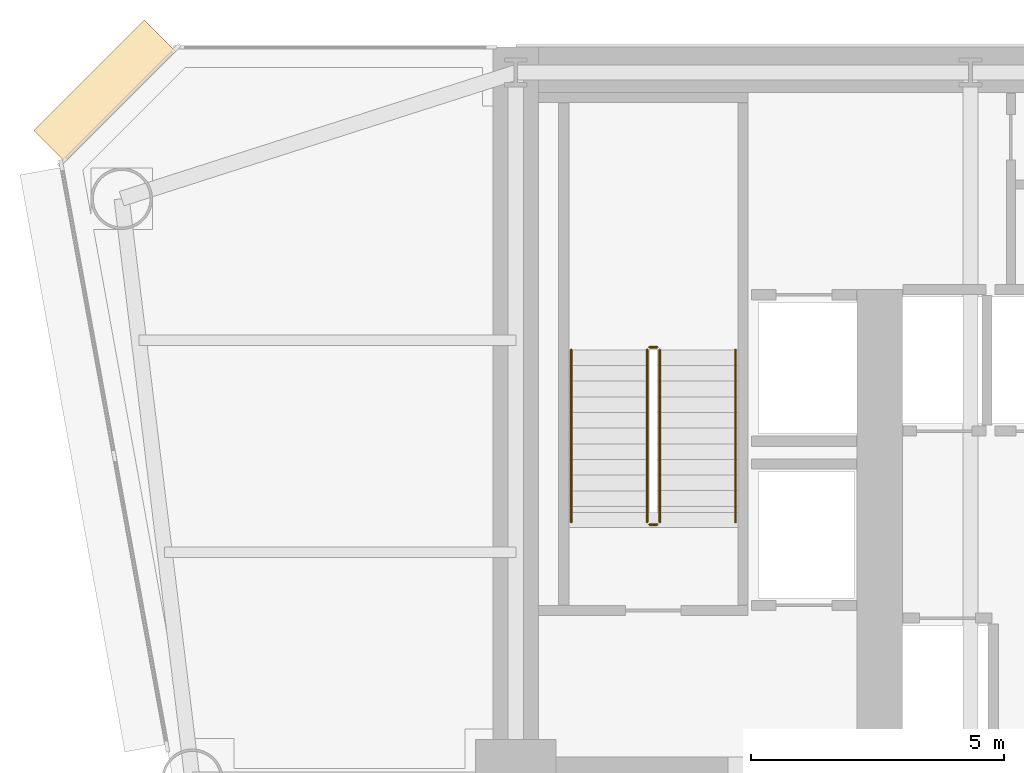
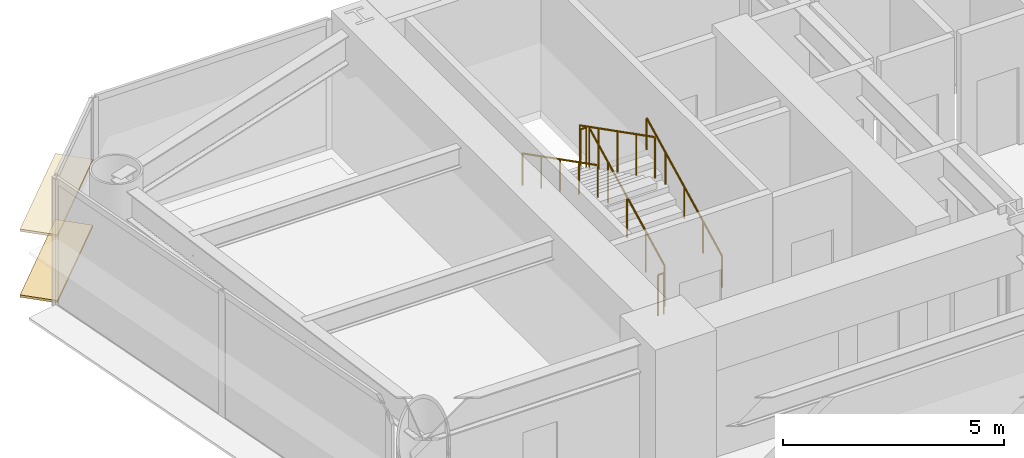
# One storey, part 12 of 14: 6 railings, 2 coverings.
"""IFC4 building model written with IfcOpenShell, lengths in metres."""

from ifc_helpers import new_model, si_unit, direction, frame, origin, origin_2d, place, context, subcontext, project, spatial, rectangle, circle, extrude, source, transform, mapped, material, layer, layer_set, type_object, element, save


model = new_model("IFC4")

# Units and contexts
model_context = context("Model", 3, precision=1e-05, world=origin(), true_north=direction((0.0, 1.0)))
body_context = subcontext(model_context, "Body", "Model", "MODEL_VIEW")
ifc_project = project(units=[si_unit("LENGTHUNIT", "METRE"), si_unit("AREAUNIT", "SQUARE_METRE"), si_unit("VOLUMEUNIT", "CUBIC_METRE"), si_unit("PLANEANGLEUNIT", "RADIAN"), si_unit("MASSUNIT", "GRAM", prefix="KILO")], contexts=[model_context])

# Site, building, storey
site_placement = place(None, origin())
site = spatial("IfcSite", under=ifc_project, at=site_placement, CompositionType="ELEMENT")
building_placement = place(site_placement, origin())
building = spatial("IfcBuilding", under=site, at=building_placement, Name="Vaeldorn Concourse Tower", CompositionType="ELEMENT")
storey_placement = place(building_placement, frame((0.0, 0.0, 30.199951171875)))
storey = spatial("IfcBuildingStorey", under=building, at=storey_placement, Name="L07", CompositionType="ELEMENT", Elevation=30.199951171875)

# Railings
ifc_material = material(Name="Anodised Bronze Aluminium", Category="aluminium")
railing_type_1 = type_object("IfcRailingType", Name="RL-STAIR-GUARD", PredefinedType="GUARDRAIL", material=ifc_material)
railing_1_placement = place(storey_placement, frame((16.85009765625, 41.60009765625, 0.158447265625)))
element("IfcRailing", 1, at=railing_1_placement, inside=storey, type_object=railing_type_1, Name="L07 ST-1 stair guard 1", PredefinedType="GUARDRAIL", context=body_context, shape_type="SweptSolid", body=[
    extrude(circle(Radius=0.02392578125, at=origin_2d()), frame((0.0, 0.0, 1.1259765625), z_axis=(0.0, 0.890555807335, 0.454873997962), x_axis=(-1.0, 0.0, 0.0)), (0.0, 0.0, 1.0), 3.828857421875),
    extrude(circle(Radius=0.02099609375, at=origin_2d()), origin(), (0.0, 0.0, 1.0), 1.101806640625),
    extrude(circle(Radius=0.02099609375, at=origin_2d()), frame((0.0, 0.8525390625, 0.435546875)), (0.0, 0.0, 1.0), 1.101806640625),
    extrude(circle(Radius=0.02099609375, at=origin_2d()), frame((0.0, 1.705078125, 0.870849609375)), (0.0, 0.0, 1.0), 1.101806640625),
    extrude(circle(Radius=0.02099609375, at=origin_2d()), frame((0.0, 2.557373046875, 1.30615234375)), (0.0, 0.0, 1.0), 1.101806640625),
    extrude(circle(Radius=0.02099609375, at=origin_2d()), frame((0.0, 3.409912109375, 1.74169921875)), (0.0, 0.0, 1.0), 1.101806640625),
])
railing_2_placement = place(storey_placement, frame((16.800048828125, 45.06005859375, 1.900146484375)))
element("IfcRailing", 2, at=railing_2_placement, inside=storey, type_object=railing_type_1, Name="L07 ST-1 stair guard 2", PredefinedType="GUARDRAIL", context=body_context, shape_type="SweptSolid", body=[
    extrude(circle(Radius=0.02392578125, at=origin_2d()), frame((0.0, 0.0, 1.1259765625), z_axis=(-1.0, 0.0, 0.0), x_axis=(0.0, -1.0, 0.0)), (0.0, 0.0, 1.0), 0.150146484375),
    extrude(circle(Radius=0.02099609375, at=origin_2d()), origin(), (0.0, 0.0, 1.0), 1.101806640625),
    extrude(circle(Radius=0.02099609375, at=origin_2d()), frame((-0.150146484375, 0.0, 0.0)), (0.0, 0.0, 1.0), 1.101806640625),
])
railing_3_placement = place(storey_placement, frame((16.60009765625, 45.010009765625, 2.058349609375)))
element("IfcRailing", 3, at=railing_3_placement, inside=storey, type_object=railing_type_1, Name="L07 ST-1 stair guard 3", PredefinedType="GUARDRAIL", context=body_context, shape_type="SweptSolid", body=[
    extrude(circle(Radius=0.02392578125, at=origin_2d()), frame((0.0, 0.0, 1.1259765625), z_axis=(0.0, -0.890555807335, 0.454873997962), x_axis=(1.0, 0.0, 0.0)), (0.0, 0.0, 1.0), 3.828857421875),
    extrude(circle(Radius=0.02099609375, at=origin_2d()), origin(), (0.0, 0.0, 1.0), 1.101806640625),
    extrude(circle(Radius=0.02099609375, at=origin_2d()), frame((0.0, -0.8525390625, 0.435546875)), (0.0, 0.0, 1.0), 1.101806640625),
    extrude(circle(Radius=0.02099609375, at=origin_2d()), frame((0.0, -1.705078125, 0.870849609375)), (0.0, 0.0, 1.0), 1.101806640625),
    extrude(circle(Radius=0.02099609375, at=origin_2d()), frame((0.0, -2.557373046875, 1.30615234375)), (0.0, 0.0, 1.0), 1.101806640625),
    extrude(circle(Radius=0.02099609375, at=origin_2d()), frame((0.0, -3.409912109375, 1.74169921875)), (0.0, 0.0, 1.0), 1.101806640625),
])
railing_4_placement = place(storey_placement, frame((16.800048828125, 41.550048828125, 0.0)))
element("IfcRailing", 4, at=railing_4_placement, inside=storey, type_object=railing_type_1, Name="L07 ST-1 stair guard 4", PredefinedType="GUARDRAIL", context=body_context, shape_type="SweptSolid", body=[
    extrude(circle(Radius=0.02392578125, at=origin_2d()), frame((0.0, 0.0, 1.1259765625), z_axis=(-1.0, 0.0, 0.0), x_axis=(0.0, -1.0, 0.0)), (0.0, 0.0, 1.0), 0.150146484375),
    extrude(circle(Radius=0.02099609375, at=origin_2d()), origin(), (0.0, 0.0, 1.0), 1.101806640625),
    extrude(circle(Radius=0.02099609375, at=origin_2d()), frame((-0.150146484375, 0.0, 0.0)), (0.0, 0.0, 1.0), 1.101806640625),
])
railing_type_2 = type_object("IfcRailingType", Name="RL-STAIR-HANDRAIL", PredefinedType="HANDRAIL", material=ifc_material)
railing_5_placement = place(storey_placement, frame((18.35009765625, 41.60009765625, 0.158447265625)))
element("IfcRailing", 5, at=railing_5_placement, inside=storey, type_object=railing_type_2, Name="L07 ST-1 stair handrail 1", PredefinedType="HANDRAIL", context=body_context, shape_type="SweptSolid", body=[
    extrude(circle(Radius=0.02392578125, at=origin_2d()), frame((0.0, 0.0, 0.8759765625), z_axis=(0.0, 0.890555807335, 0.454873997962), x_axis=(-1.0, 0.0, 0.0)), (0.0, 0.0, 1.0), 3.828857421875),
    extrude(circle(Radius=0.02099609375, at=origin_2d()), origin(), (0.0, 0.0, 1.0), 0.851806640625),
    extrude(circle(Radius=0.02099609375, at=origin_2d()), frame((0.0, 0.8525390625, 0.435546875)), (0.0, 0.0, 1.0), 0.851806640625),
    extrude(circle(Radius=0.02099609375, at=origin_2d()), frame((0.0, 1.705078125, 0.870849609375)), (0.0, 0.0, 1.0), 0.851806640625),
    extrude(circle(Radius=0.02099609375, at=origin_2d()), frame((0.0, 2.557373046875, 1.30615234375)), (0.0, 0.0, 1.0), 0.851806640625),
    extrude(circle(Radius=0.02099609375, at=origin_2d()), frame((0.0, 3.409912109375, 1.74169921875)), (0.0, 0.0, 1.0), 0.851806640625),
])
railing_6_placement = place(storey_placement, frame((15.10009765625, 45.010009765625, 2.058349609375)))
element("IfcRailing", 6, at=railing_6_placement, inside=storey, type_object=railing_type_2, Name="L07 ST-1 stair handrail 2", PredefinedType="HANDRAIL", context=body_context, shape_type="SweptSolid", body=[
    extrude(circle(Radius=0.02392578125, at=origin_2d()), frame((0.0, 0.0, 0.8759765625), z_axis=(0.0, -0.890555807335, 0.454873997962), x_axis=(1.0, 0.0, 0.0)), (0.0, 0.0, 1.0), 3.828857421875),
    extrude(circle(Radius=0.02099609375, at=origin_2d()), origin(), (0.0, 0.0, 1.0), 0.851806640625),
    extrude(circle(Radius=0.02099609375, at=origin_2d()), frame((0.0, -0.8525390625, 0.435546875)), (0.0, 0.0, 1.0), 0.851806640625),
    extrude(circle(Radius=0.02099609375, at=origin_2d()), frame((0.0, -1.705078125, 0.870849609375)), (0.0, 0.0, 1.0), 0.851806640625),
    extrude(circle(Radius=0.02099609375, at=origin_2d()), frame((0.0, -2.557373046875, 1.30615234375)), (0.0, 0.0, 1.0), 0.851806640625),
    extrude(circle(Radius=0.02099609375, at=origin_2d()), frame((0.0, -3.409912109375, 1.74169921875)), (0.0, 0.0, 1.0), 0.851806640625),
])

# Coverings
ifc_layer = layer(ifc_material, 0.06494140625)
ifc_layer_set = layer_set([ifc_layer], Name="Anodised Bronze Aluminium")
covering_type = type_object("IfcCoveringType", Name="SD-BRONZE-SUNSHADE", PredefinedType="USERDEFINED", material=ifc_layer_set)
shared_shape = source(origin(), body_context, "Body", "SweptSolid", [
    extrude(rectangle(XDim=3.0927734375, YDim=0.8798828125, at=origin_2d()), origin(), (0.0, 0.0, 1.0), 0.06494140625),
])
for number, where, z_axis, x_axis, name in (
    (7, (5.8671875, 50.1328125, 0.047607421875), (0.0, 0.0, 1.0), (-0.707106781187, -0.707106781187, 0.0), "Horizontal Bronze Sunshade L07-E10.1.1"),
    (8, (5.8671875, 50.1328125, 1.86767578125), (0.0, 0.0, 1.0), (-0.707106781187, -0.707106781187, 0.0), "Horizontal Bronze Sunshade L07-E10.1.2"),
):
    element("IfcCovering", number, at=place(storey_placement, frame(where, z_axis=z_axis, x_axis=x_axis)), inside=storey, type_object=covering_type, Name=name, ObjectType="SUNSHADE", PredefinedType="USERDEFINED", context=body_context, shape_type="MappedRepresentation", body=[
        mapped(shared_shape, transform((0.0, 0.0, 0.0), scale=1.0)),
    ])

save(model, "model.ifc")
